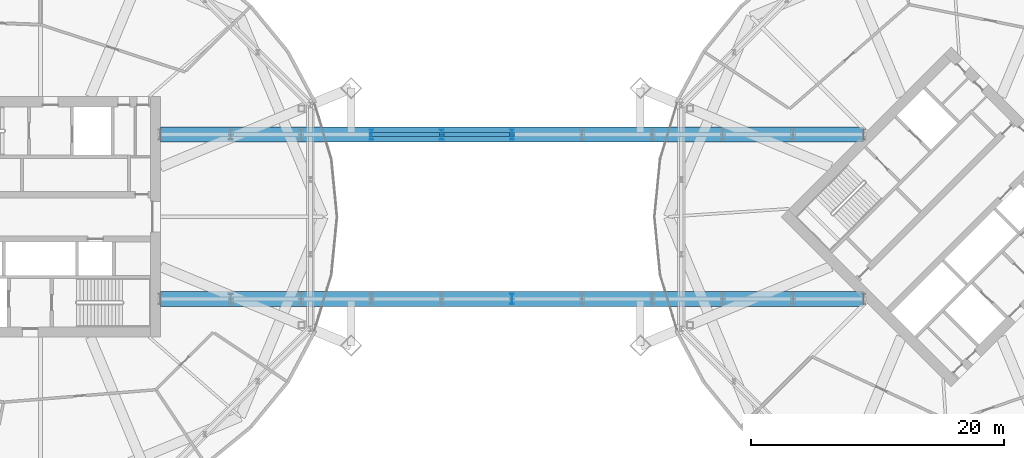
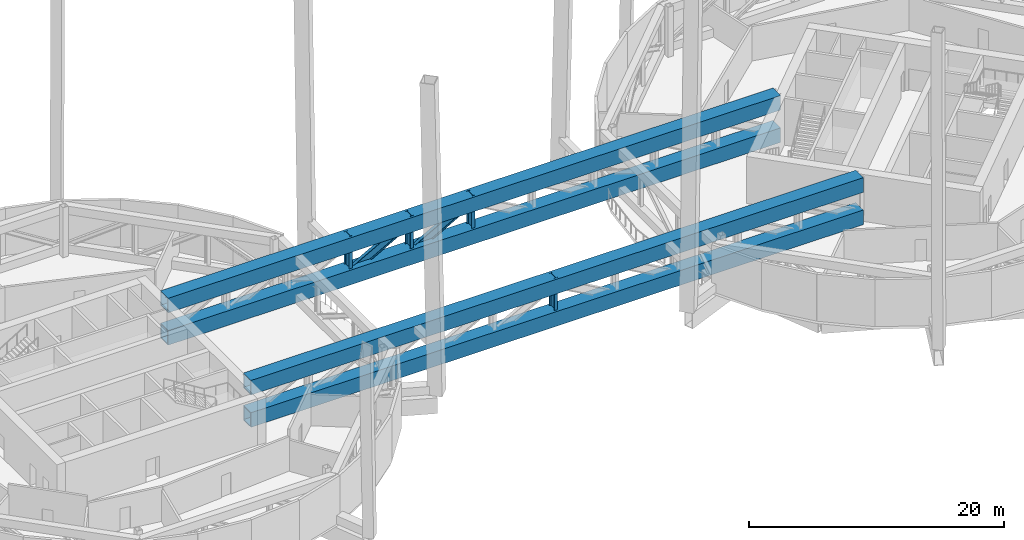
# One storey, part 5 of 19: 10 members.
"""IFC4 building model written with IfcOpenShell, lengths in metres."""

from ifc_helpers import new_model, si_unit, direction, frame, origin, origin_2d, place, context, subcontext, project, spatial, hollow_rectangle, i_section, extrude, material, material_profile, profile_set, type_object, element, save


model = new_model("IFC4")

# Units and contexts
model_context = context("Model", 3, precision=1e-05, world=origin(), true_north=direction((0.0, 1.0)))
body_context = subcontext(model_context, "Body", "Model", "MODEL_VIEW")
ifc_project = project(units=[si_unit("LENGTHUNIT", "METRE"), si_unit("AREAUNIT", "SQUARE_METRE"), si_unit("VOLUMEUNIT", "CUBIC_METRE"), si_unit("PLANEANGLEUNIT", "RADIAN"), si_unit("MASSUNIT", "GRAM", prefix="KILO")], contexts=[model_context])

# Site, building, storey
site_placement = place(None, origin())
site = spatial("IfcSite", under=ifc_project, at=site_placement, CompositionType="ELEMENT")
building_placement = place(site_placement, origin())
building = spatial("IfcBuilding", under=site, at=building_placement, Name="Ogive Gate Towers", CompositionType="ELEMENT")
storey_placement = place(building_placement, frame((0.0, 0.0, 130.800048828125)))
storey = spatial("IfcBuildingStorey", under=building, at=storey_placement, Name="L31", CompositionType="ELEMENT", Elevation=130.800048828125)

# Members
ifc_material = material(Name="Steel SM460", Category="steel")
ifc_material_profile_1 = material_profile(ifc_material, hollow_rectangle(XDim=1.199951171875, YDim=1.39990234375, WallThickness=0.080078125, at=origin_2d()), Name="BX 1400x1200x80")
ifc_profile_set_1 = profile_set([ifc_material_profile_1], Name="Steel SM460")
member_type_1 = type_object("IfcMemberType", Name="Truss chord BX 1400x1200x80", PredefinedType="CHORD", material=ifc_profile_set_1)
for number, where, z_axis, x_axis, name in (
    (1, (-26.5, -6.5, 0.699951171875), (1.0, 0.0, 0.0), (0.0, 1.0, 0.0), "BR/L31/STR001"),
    (2, (-26.5, -6.5, 3.800048828125), (1.0, 0.0, 0.0), (0.0, 1.0, 0.0), "BR/L31/STR002"),
    (3, (-26.5, 6.5, 0.699951171875), (1.0, 0.0, 0.0), (0.0, 1.0, 0.0), "BR/L31/STR024"),
    (4, (-26.5, 6.5, 3.800048828125), (1.0, 0.0, 0.0), (0.0, 1.0, 0.0), "BR/L31/STR025"),
):
    element("IfcMember", number, at=place(storey_placement, frame(where, z_axis=z_axis, x_axis=x_axis)), inside=storey, type_object=member_type_1, Name=name, PredefinedType="CHORD", context=body_context, shape_type="SweptSolid", body=[
        extrude(hollow_rectangle(XDim=1.199951171875, YDim=1.39990234375, WallThickness=0.080078125, at=origin_2d()), origin(), (0.0, 0.0, 1.0), 55.56494140625),
    ])
ifc_material_profile_2 = material_profile(ifc_material, i_section(OverallWidth=0.300048828125, OverallDepth=0.800048828125, WebThickness=0.017578125, FlangeThickness=0.032958984375, FilletRadius=0.030029296875, at=origin_2d()), Name="HE 800 B")
ifc_profile_set_2 = profile_set([ifc_material_profile_2], Name="Steel SM460")
member_type_2 = type_object("IfcMemberType", Name="Truss diagonal HE 800 B", PredefinedType="BRACE", material=ifc_profile_set_2)
member_1_placement = place(storey_placement, frame((-9.83056640625, 6.5, 0.699951171875), z_axis=(0.873283508957, 0.0, 0.487212390015), x_axis=(0.0, 1.0, 0.0)))
element("IfcMember", 5, at=member_1_placement, inside=storey, type_object=member_type_2, Name="BR/L31/STR029", PredefinedType="BRACE", context=body_context, shape_type="SweptSolid", body=[
    extrude(i_section(OverallWidth=0.300048828125, OverallDepth=0.800048828125, WebThickness=0.017578125, FlangeThickness=0.032958984375, FilletRadius=0.030029296875, at=origin_2d()), origin(), (0.0, 0.0, 1.0), 6.363037109375),
])
member_2_placement = place(storey_placement, frame((-4.27392578125, 6.5, 0.699951171875), z_axis=(0.87327440057, 0.0, 0.487228715604), x_axis=(0.0, 1.0, 0.0)))
element("IfcMember", 6, at=member_2_placement, inside=storey, type_object=member_type_2, Name="BR/L31/STR030", PredefinedType="BRACE", context=body_context, shape_type="SweptSolid", body=[
    extrude(i_section(OverallWidth=0.300048828125, OverallDepth=0.800048828125, WebThickness=0.017578125, FlangeThickness=0.032958984375, FilletRadius=0.030029296875, at=origin_2d()), origin(), (0.0, 0.0, 1.0), 6.36279296875),
])
ifc_material_profile_3 = material_profile(ifc_material, i_section(OverallWidth=0.300048828125, OverallDepth=0.800048828125, WebThickness=0.017578125, FlangeThickness=0.032958984375, FilletRadius=0.030029296875, at=origin_2d()), Name="HE 800 B")
ifc_profile_set_3 = profile_set([ifc_material_profile_3], Name="Steel SM460")
member_type_3 = type_object("IfcMemberType", Name="Truss post HE 800 B", PredefinedType="POST", material=ifc_profile_set_3)
for number, where, z_axis, x_axis, name in (
    (7, (1.282470703125, -6.5, 0.699951171875), (0.0, 0.0, 1.0), (1.0, 0.0, 0.0), "BR/L31/STR018"),
    (8, (-9.83056640625, 6.5, 0.699951171875), (0.0, 0.0, 1.0), (1.0, 0.0, 0.0), "BR/L31/STR039"),
    (9, (-4.27392578125, 6.5, 0.699951171875), (0.0, 0.0, 1.0), (1.0, 0.0, 0.0), "BR/L31/STR040"),
    (10, (1.282470703125, 6.5, 0.699951171875), (0.0, 0.0, 1.0), (1.0, 0.0, 0.0), "BR/L31/STR041"),
):
    element("IfcMember", number, at=place(storey_placement, frame(where, z_axis=z_axis, x_axis=x_axis)), inside=storey, type_object=member_type_3, Name=name, PredefinedType="POST", context=body_context, shape_type="SweptSolid", body=[
        extrude(i_section(OverallWidth=0.300048828125, OverallDepth=0.800048828125, WebThickness=0.017578125, FlangeThickness=0.032958984375, FilletRadius=0.030029296875, at=origin_2d()), origin(), (0.0, 0.0, 1.0), 3.800048828125),
    ])

save(model, "model.ifc")
